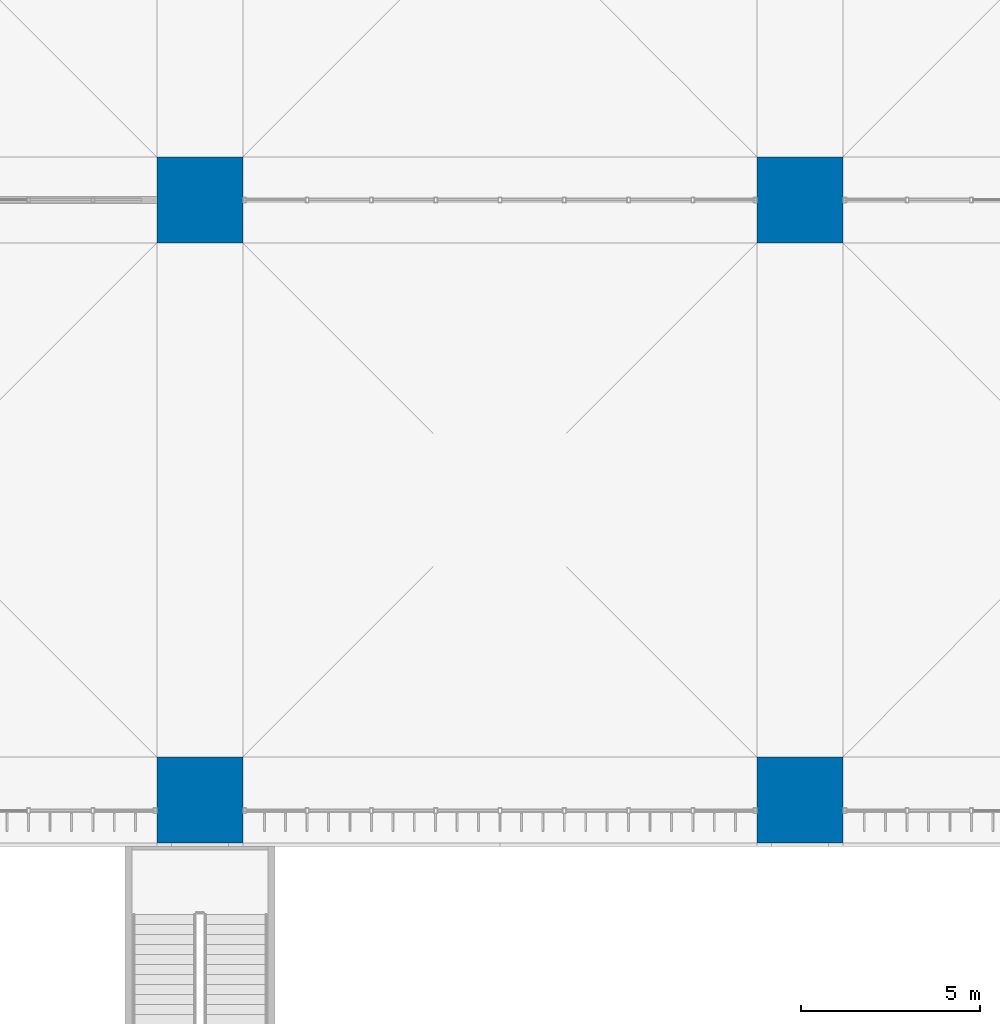
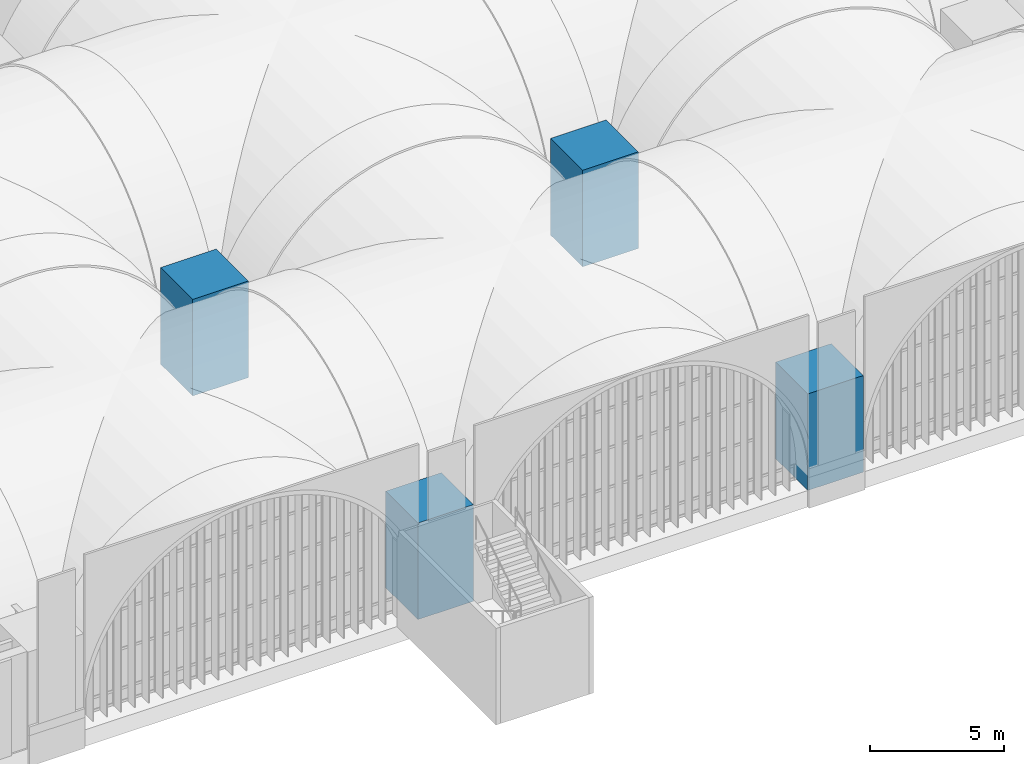
# One storey, part 2 of 169: 4 columns.
"""IFC4 building model written with IfcOpenShell, lengths in metres."""

import ifcopenshell
import ifcopenshell.guid

model = None  # the IFC model being written
_history = None  # IfcOwnerHistory: only IFC2X3 demands one
_inside = {}  # id of a spatial element -> (the spatial element, [elements in it])
_under = {}  # id of a project, library or spatial element -> (it, [spatial elements below it])
_declared = {}  # id of a project -> (the project, [libraries it declares])
_typed = {}  # id of a type object -> (the type object, [elements of that type])
_made_of = {}  # id of a material, layer set ... -> (it, [elements and type objects made of it])


def new_model(schema):
    """Start an empty IFC model of exactly this schema.

    Asked for "IFC4X3", IfcOpenShell would pick the latest addendum, in which some entities
    have other attributes; the version numbers below select the first issue.
    IFC2X3 requires an IfcOwnerHistory on every rooted entity: one is made here for all.
    """
    global model, _history
    if schema == "IFC4X3":
        model = ifcopenshell.file(schema_version=(4, 3, 0, 0))
    else:
        model = ifcopenshell.file(schema=schema)
    _inside.clear()
    _under.clear()
    _declared.clear()
    _typed.clear()
    _made_of.clear()
    _history = None
    if model.schema == "IFC2X3":
        org = make("IfcOrganization", Name="unknown")
        user = make(
            "IfcPersonAndOrganization",
            ThePerson=make("IfcPerson", FamilyName="unknown"),
            TheOrganization=org,
        )
        app = make(
            "IfcApplication",
            ApplicationDeveloper=org,
            Version="unknown",
            ApplicationFullName="unknown",
            ApplicationIdentifier="unknown",
        )
        _history = make(
            "IfcOwnerHistory",
            OwningUser=user,
            OwningApplication=app,
            ChangeAction="ADDED",
            CreationDate=0,
        )
    return model


def make(cls, **values):
    """One entity of the class cls with the attributes given. An attribute that is None is left unset."""
    return model.create_entity(
        cls, **{name: value for name, value in values.items() if value is not None}
    )


def rooted(cls, **values):
    """An entity with a GlobalId (a new one), such as an element, a storey or a relation."""
    return make(cls, GlobalId=ifcopenshell.guid.new(), OwnerHistory=_history, **values)


def si_unit(unit_type, name, prefix=None):
    """IfcSIUnit, for example si_unit("LENGTHUNIT", "METRE", prefix="MILLI")."""
    return make("IfcSIUnit", UnitType=unit_type, Prefix=prefix, Name=name)


def assignment(units):
    """IfcUnitAssignment: the units of a project."""
    return None if units is None else make("IfcUnitAssignment", Units=units)


def point(xyz):
    """IfcCartesianPoint."""
    return None if xyz is None else make("IfcCartesianPoint", Coordinates=xyz)


def direction(xyz):
    """IfcDirection."""
    return None if xyz is None else make("IfcDirection", DirectionRatios=xyz)


def frame(location, z_axis=None, x_axis=None):
    """IfcAxis2Placement3D, a coordinate frame: its origin and axes. An axis left out is left unset."""
    return make(
        "IfcAxis2Placement3D",
        Location=point(location),
        Axis=direction(z_axis),
        RefDirection=direction(x_axis),
    )


def frame_2d(location, x_axis=None):
    """IfcAxis2Placement2D, a coordinate frame in the plane: its origin and x axis."""
    return make(
        "IfcAxis2Placement2D", Location=point(location), RefDirection=direction(x_axis)
    )


def origin():
    """The frame at (0, 0, 0) with its axes left unset."""
    return frame((0.0, 0.0, 0.0))


def origin_2d():
    """The frame at (0, 0) in the plane with its x axis left unset."""
    return frame_2d((0.0, 0.0))


def place(relative_to, where):
    """IfcLocalPlacement: puts the frame where relative to a parent placement (None: the world)."""
    return make(
        "IfcLocalPlacement", PlacementRelTo=relative_to, RelativePlacement=where
    )


def context(
    kind, dimensions, precision=None, world=None, true_north=None, identifier=None
):
    """IfcGeometricRepresentationContext, for example the 3D "Model" context."""
    return make(
        "IfcGeometricRepresentationContext",
        ContextIdentifier=identifier,
        ContextType=kind,
        CoordinateSpaceDimension=dimensions,
        Precision=precision,
        WorldCoordinateSystem=world,
        TrueNorth=true_north,
    )


def subcontext(parent, identifier, kind, view, scale=None):
    """IfcGeometricRepresentationSubContext, for example "Body" below "Model"."""
    return make(
        "IfcGeometricRepresentationSubContext",
        ContextIdentifier=identifier,
        ContextType=kind,
        ParentContext=parent,
        TargetScale=scale,
        TargetView=view,
    )


def project(units=None, contexts=None):
    """IfcProject with its units and contexts."""
    return rooted(
        "IfcProject",
        Name="project",
        RepresentationContexts=contexts,
        UnitsInContext=assignment(units),
    )


def spatial(cls, under=None, at=None, **own):
    """A site, building, storey or space (cls), placed at a placement, below another one or the project."""
    s = rooted(cls, ObjectPlacement=at, **own)
    if under is not None:
        _under.setdefault(under.id(), (under, []))[1].append(s)
    return s


def profile(cls, at=None, kind="AREA", **sizes):
    """A parametric profile (cls). Its sizes go by their IFC names, for example OverallWidth=200.0."""
    return make(cls, ProfileType=kind, Position=at, **sizes)


def rectangle(**sizes):
    """IfcRectangleProfileDef."""
    return profile("IfcRectangleProfileDef", **sizes)


def extrude(swept, where, along, depth):
    """IfcExtrudedAreaSolid: the profile swept, set in the frame where, extruded along a direction by depth."""
    return make(
        "IfcExtrudedAreaSolid",
        SweptArea=swept,
        Position=where,
        ExtrudedDirection=direction(along),
        Depth=depth,
    )


def shape(context_of_items, identifier, shape_type, items):
    """IfcShapeRepresentation: the items that make up one representation, for example the "Body"."""
    return make(
        "IfcShapeRepresentation",
        ContextOfItems=context_of_items,
        RepresentationIdentifier=identifier,
        RepresentationType=shape_type,
        Items=items,
    )


def material(Name=None, Category=None):
    """IfcMaterial."""
    return make("IfcMaterial", Name=Name, Category=Category)


def material_profile(
    of_material, cross_section, Name=None, Category=None, Priority=None
):
    """IfcMaterialProfile: a cross section and its material."""
    return make(
        "IfcMaterialProfile",
        Name=Name,
        Material=of_material,
        Profile=cross_section,
        Priority=Priority,
        Category=Category,
    )


def profile_set(profiles, Name=None, composite=None):
    """IfcMaterialProfileSet."""
    return make(
        "IfcMaterialProfileSet",
        Name=Name,
        MaterialProfiles=profiles,
        CompositeProfile=composite,
    )


def made_of(thing, what):
    """Note that an element or type object is made of a material, layer set ...; save() writes the relation."""
    if what is not None:
        _made_of.setdefault(what.id(), (what, []))[1].append(thing)
    return thing


def type_object(cls, material=None, **own):
    """A type object (cls), such as IfcWallType, which elements share."""
    return made_of(rooted(cls, **own), material)


def element(
    cls,
    number,
    at=None,
    inside=None,
    cuts=None,
    type_object=None,
    material=None,
    context=None,
    identifier="Body",
    shape_type=None,
    held_by="IfcProductDefinitionShape",
    body=None,
    shapes=None,
    **own,
):
    """One element of the class cls, such as IfcWall. Its Tag is "e" and its number.

    at: its placement. inside: the storey or other place that contains it. cuts: it is an
    opening in that element (IfcRelVoidsElement). A single representation is given by context,
    identifier, shape_type and body (its items); several are given by shapes. held_by: the class
    of the entity that holds the representations. save() writes the other relations.
    """
    e = rooted(cls, Tag="e%d" % number, ObjectPlacement=at, **own)
    if body is not None:
        shapes = [shape(context, identifier, shape_type, body)]
    if shapes is not None:
        e.Representation = make(held_by, Representations=shapes)
    if inside is not None:
        _inside.setdefault(inside.id(), (inside, []))[1].append(e)
    if cuts is not None:
        rooted(
            "IfcRelVoidsElement", RelatingBuildingElement=cuts, RelatedOpeningElement=e
        )
    if type_object is not None:
        _typed.setdefault(type_object.id(), (type_object, []))[1].append(e)
    return made_of(e, material)


def aggregate(whole, parts):
    """IfcRelAggregates: a whole, such as a stair, and the parts it consists of."""
    return rooted("IfcRelAggregates", RelatingObject=whole, RelatedObjects=parts)


def save(model, path):
    """Write the relations noted so far, then the file.

    IfcRelAggregates (storeys below a building ...), IfcRelContainedInSpatialStructure (elements
    in a storey), IfcRelDefinesByType, IfcRelAssociatesMaterial and IfcRelDeclares: one each for
    every whole, place, type object, material and project.
    """
    for whole, parts in _under.values():
        aggregate(whole, parts)
    for where, things in _inside.values():
        rooted(
            "IfcRelContainedInSpatialStructure",
            RelatedElements=things,
            RelatingStructure=where,
        )
    for kind, things in _typed.values():
        rooted("IfcRelDefinesByType", RelatedObjects=things, RelatingType=kind)
    for what, things in _made_of.values():
        rooted("IfcRelAssociatesMaterial", RelatedObjects=things, RelatingMaterial=what)
    for by, libraries in _declared.values():
        rooted("IfcRelDeclares", RelatingContext=by, RelatedDefinitions=libraries)
    model.write(path)


model = new_model("IFC4")

# Units and contexts
model_context = context("Model", 3, precision=1e-05, world=origin(), true_north=direction((0.0, 1.0)))
body_context = subcontext(model_context, "Body", "Model", "MODEL_VIEW")
ifc_project = project(units=[si_unit("LENGTHUNIT", "METRE"), si_unit("AREAUNIT", "SQUARE_METRE"), si_unit("VOLUMEUNIT", "CUBIC_METRE"), si_unit("PLANEANGLEUNIT", "RADIAN"), si_unit("MASSUNIT", "GRAM", prefix="KILO")], contexts=[model_context])

# Site, building, storey
site_placement = place(None, origin())
site = spatial("IfcSite", under=ifc_project, at=site_placement, CompositionType="ELEMENT")
building_placement = place(site_placement, origin())
building = spatial("IfcBuilding", under=site, at=building_placement, Name="Verrick Yard Athletic Hall", CompositionType="ELEMENT")
storey_placement = place(building_placement, frame((0.0, 0.0, 4.39990234375)))
storey = spatial("IfcBuildingStorey", under=building, at=storey_placement, Name="L01", CompositionType="ELEMENT", Elevation=4.39990234375)

# Columns
ifc_material = material(Name="Concrete 35 MPa", Category="concrete")
ifc_material_profile = material_profile(ifc_material, rectangle(XDim=2.39990234375, YDim=2.39990234375, at=origin_2d()), Name="STR Buttress pier PR1")
ifc_profile_set = profile_set([ifc_material_profile], Name="Concrete 35 MPa")
column_type = type_object("IfcColumnType", Name="STR Buttress pier PR1", PredefinedType="COLUMN", material=ifc_profile_set)
for number, where, z_axis, x_axis, name in (
    (1, (56.800048828125, 19.199951171875, 0.0), (0.0, 0.0, 1.0), (1.0, 0.0, 0.0), "Buttress pier P2A"),
    (2, (73.60009765625, 19.199951171875, 0.0), (0.0, 0.0, 1.0), (1.0, 0.0, 0.0), "Buttress pier P3A"),
    (3, (56.800048828125, 36.0, 0.0), (0.0, 0.0, 1.0), (1.0, 0.0, 0.0), "Buttress pier P2B"),
    (4, (73.60009765625, 36.0, 0.0), (0.0, 0.0, 1.0), (1.0, 0.0, 0.0), "Buttress pier P3B"),
):
    element("IfcColumn", number, at=place(storey_placement, frame(where, z_axis=z_axis, x_axis=x_axis)), inside=storey, type_object=column_type, Name=name, PredefinedType="COLUMN", context=body_context, shape_type="SweptSolid", body=[
        extrude(rectangle(XDim=2.39990234375, YDim=2.39990234375, at=origin_2d()), origin(), (0.0, 0.0, 1.0), 4.400146484375),
    ])

save(model, "model.ifc")
